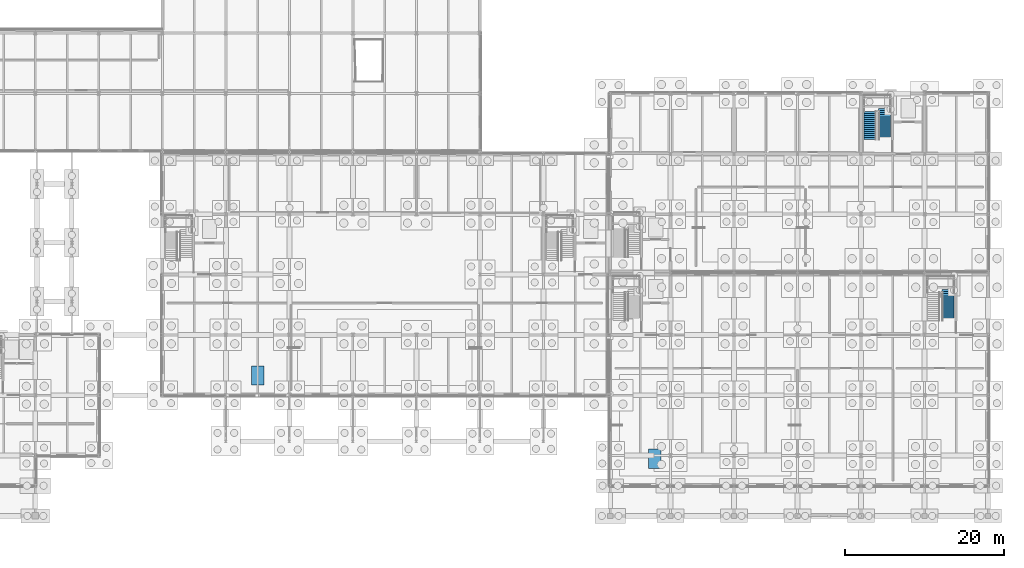
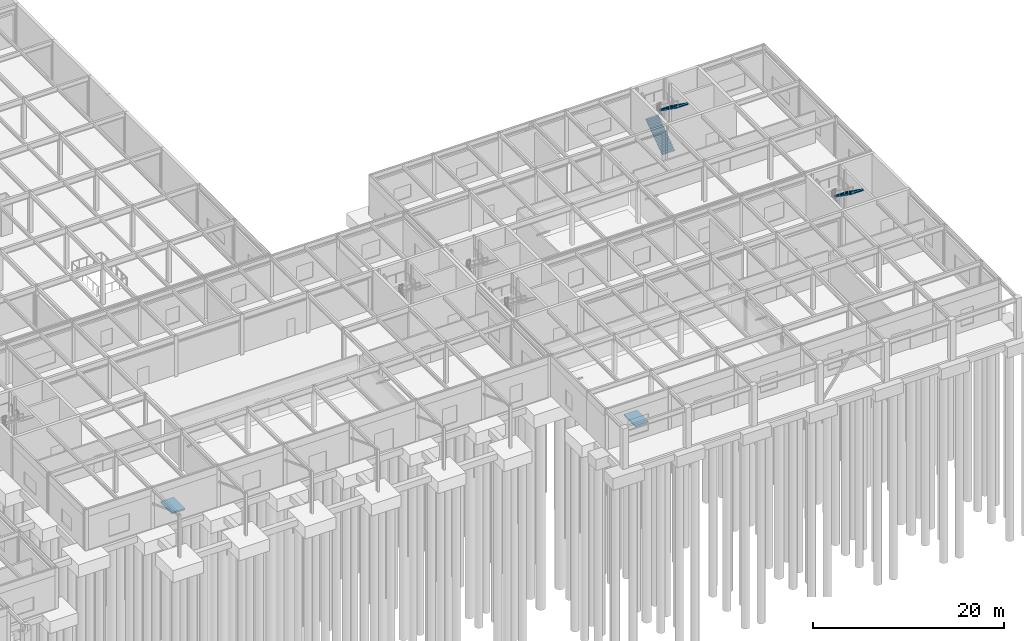
# One storey, part 50 of 62: 3 stair flights, 2 ramp flights, 4 elements without a shape of their own.
"""IFC4 building model written with IfcOpenShell, lengths in metres."""

from ifc_helpers import new_model, si_unit, direction, frame, origin, place, context, subcontext, project, spatial, polyline, outline, extrude, material, layer, layer_set, type_object, element, aggregate, save


model = new_model("IFC4")

# Units and contexts
model_context = context("Model", 3, precision=1e-05, world=origin(), true_north=direction((0.0, 1.0)))
body_context = subcontext(model_context, "Body", "Model", "MODEL_VIEW")
ifc_project = project(units=[si_unit("LENGTHUNIT", "METRE"), si_unit("AREAUNIT", "SQUARE_METRE"), si_unit("VOLUMEUNIT", "CUBIC_METRE"), si_unit("PLANEANGLEUNIT", "RADIAN"), si_unit("MASSUNIT", "GRAM", prefix="KILO")], contexts=[model_context])

# Site, building, storey
site_placement = place(None, origin())
site = spatial("IfcSite", under=ifc_project, at=site_placement, CompositionType="ELEMENT")
building_placement = place(site_placement, origin())
building = spatial("IfcBuilding", under=site, at=building_placement, Name="Zulena Civic Courthouse", CompositionType="ELEMENT")
storey_placement = place(building_placement, origin())
storey = spatial("IfcBuildingStorey", under=building, at=storey_placement, Name="L00", CompositionType="ELEMENT", Elevation=0.0)

# Stair, stair flight
ifc_material_1 = material(Name="Precast concrete C40/50", Category="concrete")
stair_type = type_object("IfcStairType", Name="HalfTurnStair_5400", PredefinedType="HALF_TURN_STAIR", material=ifc_material_1)
stair_1_placement = place(storey_placement, origin())
stair_1 = element("IfcStair", 1, at=stair_1_placement, inside=storey, type_object=stair_type, Name="stair:K1B:L00", PredefinedType="HALF_TURN_STAIR")
stair_flight_type = type_object("IfcStairFlightType", Name="StairFlight_5400", PredefinedType="STRAIGHT", material=ifc_material_1)
stair_flight_1_placement = place(storey_placement, frame((166.969970703125, 28.48974609375, 2.699951171875), z_axis=(0.0, 0.0, 1.0), x_axis=(0.0, -1.0, 0.0)))
stair_flight_1 = element("IfcStairFlight", 2, at=stair_flight_1_placement, type_object=stair_flight_type, Name="stair:K1B:L00:F2", NumberOfRisers=15, NumberOfTreads=14, PredefinedType="STRAIGHT", RiserHeight=0.18, TreadLength=0.255, context=body_context, shape_type="SweptSolid", body=[
    extrude(outline(polyline([(0.0, 0.0), (0.0, 0.179931640625), (0.2548828125, 0.179931640625), (0.2548828125, 0.360107421875), (0.510009765625, 0.360107421875), (0.510009765625, 0.5400390625), (0.764892578125, 0.5400390625), (0.764892578125, 0.719970703125), (1.02001953125, 0.719970703125), (1.02001953125, 0.89990234375), (1.27490234375, 0.89990234375), (1.27490234375, 1.080078125), (1.530029296875, 1.080078125), (1.530029296875, 1.260009765625), (1.784912109375, 1.260009765625), (1.784912109375, 1.43994140625), (2.0400390625, 1.43994140625), (2.0400390625, 1.6201171875), (2.294921875, 1.6201171875), (2.294921875, 1.800048828125), (2.550048828125, 1.800048828125), (2.550048828125, 1.97998046875), (2.804931640625, 1.97998046875), (2.804931640625, 2.159912109375), (3.06005859375, 2.159912109375), (3.06005859375, 2.340087890625), (3.31494140625, 2.340087890625), (3.31494140625, 2.52001953125), (3.570068359375, 2.52001953125), (3.570068359375, 2.699951171875), (3.570068359375, 2.3916015625), (0.18212890625, 0.0), (0.0, 0.0)])), frame((0.0, 0.75, 0.0), z_axis=(0.0, -1.0, 0.0), x_axis=(1.0, 0.0, 0.0)), (0.0, 0.0, 1.0), 1.5),
])
aggregate(stair_1, [stair_flight_1])

# Stair, stair flights
stair_2_placement = place(storey_placement, origin())
stair_2 = element("IfcStair", 3, at=stair_2_placement, inside=storey, type_object=stair_type, Name="stair:K3B:L00", PredefinedType="HALF_TURN_STAIR")
stair_flight_2_placement = place(storey_placement, frame((157.1298828125, 47.3798828125, 0.0), z_axis=(0.0, 0.0, 1.0), x_axis=(0.0, 1.0, 0.0)))
stair_flight_2 = element("IfcStairFlight", 4, at=stair_flight_2_placement, type_object=stair_flight_type, Name="stair:K3B:L00:F1", NumberOfRisers=15, NumberOfTreads=14, PredefinedType="STRAIGHT", RiserHeight=0.18, TreadLength=0.255, context=body_context, shape_type="SweptSolid", body=[
    extrude(outline(polyline([(0.0, 0.0), (0.0, 0.179931640625), (0.2548828125, 0.179931640625), (0.2548828125, 0.360107421875), (0.510009765625, 0.360107421875), (0.510009765625, 0.5400390625), (0.764892578125, 0.5400390625), (0.764892578125, 0.719970703125), (1.02001953125, 0.719970703125), (1.02001953125, 0.89990234375), (1.27490234375, 0.89990234375), (1.27490234375, 1.080078125), (1.530029296875, 1.080078125), (1.530029296875, 1.260009765625), (1.784912109375, 1.260009765625), (1.784912109375, 1.43994140625), (2.0400390625, 1.43994140625), (2.0400390625, 1.6201171875), (2.294921875, 1.6201171875), (2.294921875, 1.800048828125), (2.550048828125, 1.800048828125), (2.550048828125, 1.97998046875), (2.804931640625, 1.97998046875), (2.804931640625, 2.159912109375), (3.06005859375, 2.159912109375), (3.06005859375, 2.340087890625), (3.31494140625, 2.340087890625), (3.31494140625, 2.52001953125), (3.570068359375, 2.52001953125), (3.570068359375, 2.699951171875), (3.570068359375, 2.3916015625), (0.18212890625, 0.0), (0.0, 0.0)])), frame((0.0, 0.75, 0.0), z_axis=(0.0, -1.0, 0.0), x_axis=(1.0, 0.0, 0.0)), (0.0, 0.0, 1.0), 1.5),
])
stair_flight_3_placement = place(storey_placement, frame((158.969970703125, 51.289794921875, 2.699951171875), z_axis=(0.0, 0.0, 1.0), x_axis=(0.0, -1.0, 0.0)))
stair_flight_3 = element("IfcStairFlight", 5, at=stair_flight_3_placement, type_object=stair_flight_type, Name="stair:K3B:L00:F2", NumberOfRisers=15, NumberOfTreads=14, PredefinedType="STRAIGHT", RiserHeight=0.18, TreadLength=0.255, context=body_context, shape_type="SweptSolid", body=[
    extrude(outline(polyline([(0.0, 0.0), (0.0, 0.179931640625), (0.2548828125, 0.179931640625), (0.2548828125, 0.360107421875), (0.510009765625, 0.360107421875), (0.510009765625, 0.5400390625), (0.764892578125, 0.5400390625), (0.764892578125, 0.719970703125), (1.02001953125, 0.719970703125), (1.02001953125, 0.89990234375), (1.27490234375, 0.89990234375), (1.27490234375, 1.080078125), (1.530029296875, 1.080078125), (1.530029296875, 1.260009765625), (1.784912109375, 1.260009765625), (1.784912109375, 1.43994140625), (2.0400390625, 1.43994140625), (2.0400390625, 1.6201171875), (2.294921875, 1.6201171875), (2.294921875, 1.800048828125), (2.550048828125, 1.800048828125), (2.550048828125, 1.97998046875), (2.804931640625, 1.97998046875), (2.804931640625, 2.159912109375), (3.06005859375, 2.159912109375), (3.06005859375, 2.340087890625), (3.31494140625, 2.340087890625), (3.31494140625, 2.52001953125), (3.570068359375, 2.52001953125), (3.570068359375, 2.699951171875), (3.570068359375, 2.3916015625), (0.18212890625, 0.0), (0.0, 0.0)])), frame((0.0, 0.75, 0.0), z_axis=(0.0, -1.0, 0.0), x_axis=(1.0, 0.0, 0.0)), (0.0, 0.0, 1.0), 1.5),
])
aggregate(stair_2, [stair_flight_2, stair_flight_3])

# Ramp, ramp flight
ifc_material_2 = material(Name="Concrete C35/45", Category="concrete")
ramp_type = type_object("IfcRampType", Name="AccessibleRamp_1600", PredefinedType="STRAIGHT_RUN_RAMP", material=ifc_material_2)
ramp_1_placement = place(storey_placement, origin())
ramp_1 = element("IfcRamp", 6, at=ramp_1_placement, inside=storey, type_object=ramp_type, Name="ramp:acc:1", PredefinedType="STRAIGHT_RUN_RAMP")
ifc_layer = layer(ifc_material_2, 0.179931640625)
ifc_layer_set = layer_set([ifc_layer], Name="Concrete C35/45")
ramp_flight_type = type_object("IfcRampFlightType", Name="AccessibleRampFlight_1600", PredefinedType="STRAIGHT", material=ifc_layer_set)
ramp_flight_1_placement = place(storey_placement, frame((80.0, 16.5, 0.0), z_axis=(0.0, 0.0, 1.0), x_axis=(0.0, 1.0, 0.0)))
ramp_flight_1 = element("IfcRampFlight", 7, at=ramp_flight_1_placement, type_object=ramp_flight_type, Name="ramp:acc:1:FL1", PredefinedType="STRAIGHT", context=body_context, shape_type="SweptSolid", body=[
    extrude(outline(polyline([(0.0, 0.0), (2.39990234375, 0.0), (2.39990234375, -0.179931640625), (0.0, -0.179931640625), (0.0, 0.0)])), frame((0.0, 0.800048828125, 0.0), z_axis=(0.0, -1.0, 0.0), x_axis=(1.0, 0.0, 0.0)), (0.0, 0.0, 1.0), 1.60009765625),
])
aggregate(ramp_1, [ramp_flight_1])

ramp_2_placement = place(storey_placement, origin())
ramp_2 = element("IfcRamp", 8, at=ramp_2_placement, inside=storey, type_object=ramp_type, Name="ramp:acc:2", PredefinedType="STRAIGHT_RUN_RAMP")
ramp_flight_2_placement = place(storey_placement, frame((130.0, 6.0, 0.0), z_axis=(0.0, 0.0, 1.0), x_axis=(0.0, 1.0, 0.0)))
ramp_flight_2 = element("IfcRampFlight", 9, at=ramp_flight_2_placement, type_object=ramp_flight_type, Name="ramp:acc:2:FL1", PredefinedType="STRAIGHT", context=body_context, shape_type="SweptSolid", body=[
    extrude(outline(polyline([(0.0, 0.0), (2.39990234375, 0.0), (2.39990234375, -0.179931640625), (0.0, -0.179931640625), (0.0, 0.0)])), frame((0.0, 0.800048828125, 0.0), z_axis=(0.0, -1.0, 0.0), x_axis=(1.0, 0.0, 0.0)), (0.0, 0.0, 1.0), 1.60009765625),
])
aggregate(ramp_2, [ramp_flight_2])

save(model, "model.ifc")
